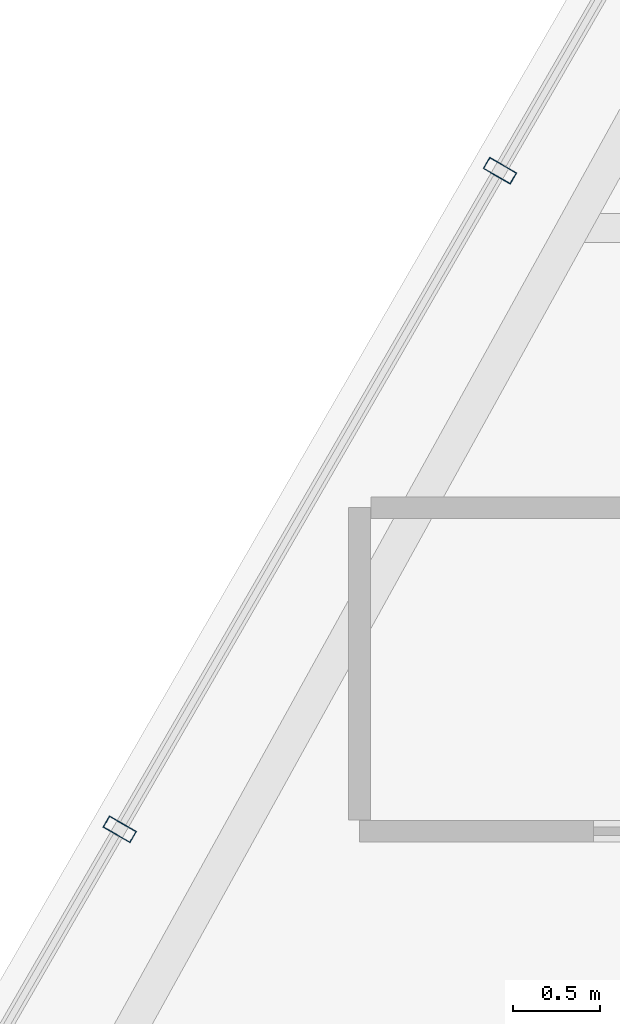
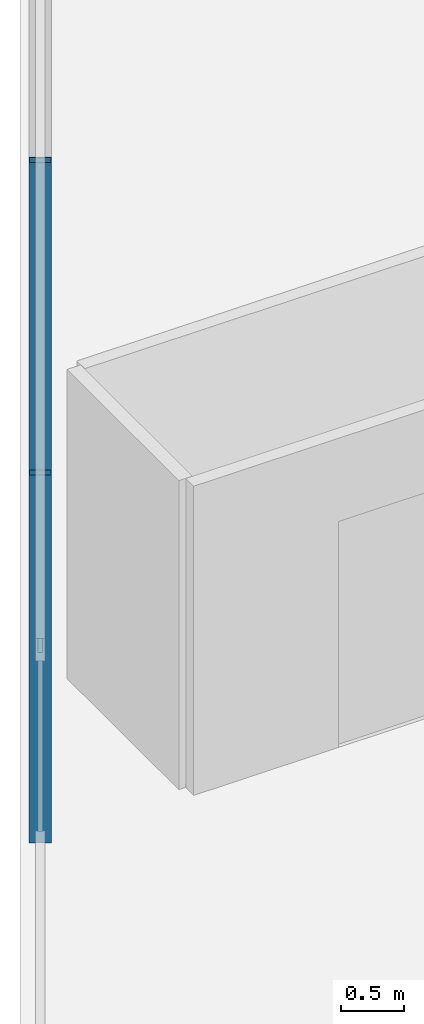
# One storey, part 4 of 29: 2 members, 1 element without a shape of its own.
"""IFC4 building model written with IfcOpenShell, lengths in metres."""

from ifc_helpers import new_model, si_unit, direction, frame, origin, origin_2d, place, context, subcontext, project, spatial, hollow_rectangle, extrude, material, layer, layer_set, material_profile, profile_set, type_object, element, aggregate, save


model = new_model("IFC4")

# Units and contexts
model_context = context("Model", 3, precision=1e-05, world=origin(), true_north=direction((0.0, 1.0)))
body_context = subcontext(model_context, "Body", "Model", "MODEL_VIEW")
ifc_project = project(units=[si_unit("LENGTHUNIT", "METRE"), si_unit("AREAUNIT", "SQUARE_METRE"), si_unit("VOLUMEUNIT", "CUBIC_METRE"), si_unit("PLANEANGLEUNIT", "RADIAN"), si_unit("MASSUNIT", "GRAM", prefix="KILO")], contexts=[model_context])

# Site, building, storey
site_placement = place(None, origin())
site = spatial("IfcSite", under=ifc_project, at=site_placement, CompositionType="ELEMENT")
building_placement = place(site_placement, origin())
building = spatial("IfcBuilding", under=site, at=building_placement, Name="Ndaravel Arena Tower", CompositionType="ELEMENT")
storey_placement = place(building_placement, frame((0.0, 0.0, 237.0)))
storey = spatial("IfcBuildingStorey", under=building, at=storey_placement, Name="L57", CompositionType="ELEMENT", Elevation=237.0)

# Curtain wall, members
ifc_material_1 = material(Name="Aluminium", Category="aluminium")
ifc_layer = layer(ifc_material_1, 0.179931640625)
ifc_layer_set = layer_set([ifc_layer], Name="Aluminium")
curtain_wall_type = type_object("IfcCurtainWallType", Name="CW-SYS-03", PredefinedType="NOTDEFINED", material=ifc_layer_set)
curtain_wall_placement = place(storey_placement, origin())
curtain_wall = element("IfcCurtainWall", 1, at=curtain_wall_placement, inside=storey, type_object=curtain_wall_type, Name="L57 Faceted Crystal Curtain Wall CW-L57-E05", PredefinedType="NOTDEFINED")
ifc_material_2 = material(Name="Aluminium", Category="aluminium")
ifc_material_profile = material_profile(ifc_material_2, hollow_rectangle(XDim=0.074951171875, YDim=0.179931640625, WallThickness=0.00390625, at=origin_2d()), Name="CW MULLION 75x180x4")
ifc_profile_set = profile_set([ifc_material_profile], Name="Aluminium")
member_type = type_object("IfcMemberType", Name="MEM-CW-MUL180", PredefinedType="MULLION", material=ifc_profile_set)
member_1_placement = place(storey_placement, frame((23.180419921875, 18.927001953125, 0.0), z_axis=(0.0, 0.0, 1.0), x_axis=(-0.5, -0.866025403784, 0.0)))
member_1 = element("IfcMember", 2, at=member_1_placement, type_object=member_type, Name="CW-L57-E05 Mullion 07", PredefinedType="MULLION", context=body_context, shape_type="SweptSolid", body=[
    extrude(hollow_rectangle(XDim=0.074951171875, YDim=0.179931640625, WallThickness=0.00390625, at=origin_2d()), origin(), (0.0, 0.0, 1.0), 3.580078125),
])
member_2_placement = place(storey_placement, frame((21.006103515625, 15.160888671875, 0.0), z_axis=(0.0, 0.0, 1.0), x_axis=(-0.5, -0.866025403784, 0.0)))
member_2 = element("IfcMember", 3, at=member_2_placement, type_object=member_type, Name="CW-L57-E05 Mullion 08", PredefinedType="MULLION", context=body_context, shape_type="SweptSolid", body=[
    extrude(hollow_rectangle(XDim=0.074951171875, YDim=0.179931640625, WallThickness=0.00390625, at=origin_2d()), origin(), (0.0, 0.0, 1.0), 3.580078125),
])
aggregate(curtain_wall, [member_1, member_2])

save(model, "model.ifc")
